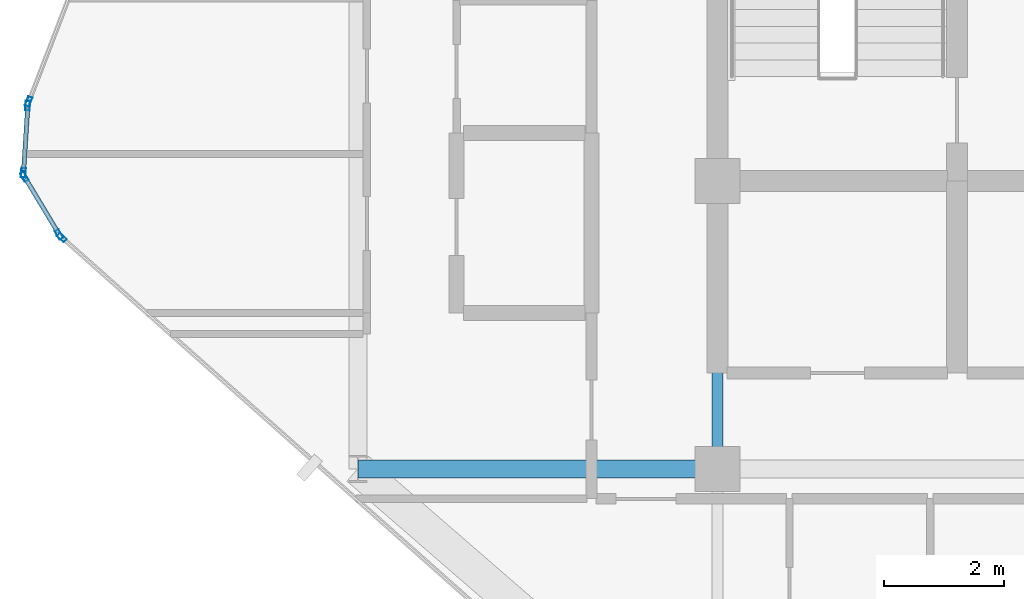
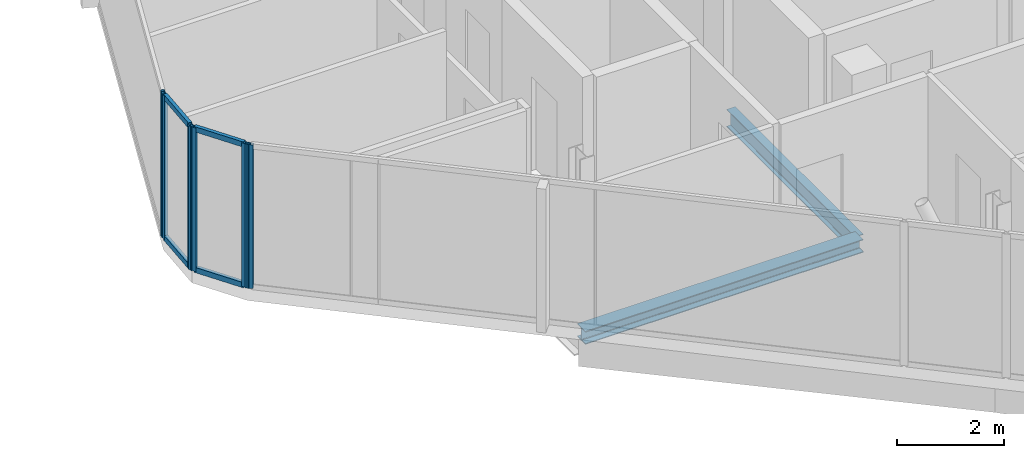
# One storey, part 8 of 28: 10 members, 2 beams, 4 elements without a shape of their own.
"""IFC4 building model written with IfcOpenShell, lengths in metres."""

from ifc_helpers import new_model, si_unit, direction, frame, origin, origin_2d, place, context, subcontext, project, spatial, hollow_rectangle, i_section, extrude, material, layer, layer_set, material_profile, profile_set, type_object, element, aggregate, save


model = new_model("IFC4")

# Units and contexts
model_context = context("Model", 3, precision=1e-05, world=origin(), true_north=direction((0.0, 1.0)))
body_context = subcontext(model_context, "Body", "Model", "MODEL_VIEW")
ifc_project = project(units=[si_unit("LENGTHUNIT", "METRE"), si_unit("AREAUNIT", "SQUARE_METRE"), si_unit("VOLUMEUNIT", "CUBIC_METRE"), si_unit("PLANEANGLEUNIT", "RADIAN"), si_unit("MASSUNIT", "GRAM", prefix="KILO")], contexts=[model_context])

# Site, building, storey
site_placement = place(None, origin())
site = spatial("IfcSite", under=ifc_project, at=site_placement, CompositionType="ELEMENT")
building_placement = place(site_placement, origin())
building = spatial("IfcBuilding", under=site, at=building_placement, Name="Keshet Zoharim Tower", CompositionType="ELEMENT")
storey_placement = place(building_placement, frame((0.0, 0.0, 233.89990234375)))
storey = spatial("IfcBuildingStorey", under=building, at=storey_placement, Name="L58", CompositionType="ELEMENT", Elevation=233.89990234375)

# Beams
ifc_material_1 = material(Name="Steel S355", Category="steel")
ifc_material_profile_1 = material_profile(ifc_material_1, i_section(OverallWidth=0.300048828125, OverallDepth=0.300048828125, WebThickness=0.010986328125, FlangeThickness=0.01904296875, FilletRadius=0.027099609375, at=origin_2d()), Name="HEB300")
ifc_profile_set_1 = profile_set([ifc_material_profile_1], Name="Steel S355")
beam_type_1 = type_object("IfcBeamType", Name="BM-PRI-HB300", PredefinedType="BEAM", material=ifc_profile_set_1)
beam_1_placement = place(storey_placement, frame((9.0, 17.89990234375, -0.4599609375), z_axis=(1.0, 0.0, 0.0), x_axis=(0.0, 1.0, 0.0)))
element("IfcBeam", 1, at=beam_1_placement, inside=storey, type_object=beam_type_1, Name="L58 Primary Girder X-011", PredefinedType="BEAM", context=body_context, shape_type="SweptSolid", body=[
    extrude(i_section(OverallWidth=0.300048828125, OverallDepth=0.300048828125, WebThickness=0.010986328125, FlangeThickness=0.01904296875, FilletRadius=0.027099609375, at=origin_2d()), origin(), (0.0, 0.0, 1.0), 6.0),
])
ifc_material_profile_2 = material_profile(ifc_material_1, i_section(OverallWidth=0.179931640625, OverallDepth=0.39990234375, WebThickness=0.008544921875, FlangeThickness=0.013427734375, FilletRadius=0.02099609375, at=origin_2d()), Name="IPE400")
ifc_profile_set_2 = profile_set([ifc_material_profile_2], Name="Steel S355")
beam_type_2 = type_object("IfcBeamType", Name="BM-PRI-IP400", PredefinedType="BEAM", material=ifc_profile_set_2)
beam_2_placement = place(storey_placement, frame((15.0, 17.89990234375, -0.510009765625), z_axis=(0.0, 1.0, 0.0), x_axis=(-1.0, 0.0, 0.0)))
element("IfcBeam", 2, at=beam_2_placement, inside=storey, type_object=beam_type_2, Name="L58 Primary Girder Y-003", PredefinedType="BEAM", context=body_context, shape_type="SweptSolid", body=[
    extrude(i_section(OverallWidth=0.179931640625, OverallDepth=0.39990234375, WebThickness=0.008544921875, FlangeThickness=0.013427734375, FilletRadius=0.02099609375, at=origin_2d()), origin(), (0.0, 0.0, 1.0), 4.800048828125),
])

# Curtain wall, member
ifc_material_2 = material(Name="Aluminium 6063-T6", Category="aluminium")
ifc_layer = layer(ifc_material_2, 0.139892578125)
ifc_layer_set = layer_set([ifc_layer], Name="Aluminium 6063-T6")
curtain_wall_type = type_object("IfcCurtainWallType", Name="CW-SYS-05", PredefinedType="NOTDEFINED", material=ifc_layer_set)
curtain_wall_1_placement = place(storey_placement, origin())
curtain_wall_1 = element("IfcCurtainWall", 3, at=curtain_wall_1_placement, inside=storey, type_object=curtain_wall_type, Name="L58 Unitised Curtain Wall 10 Part 3", PredefinedType="NOTDEFINED")
ifc_material_profile_3 = material_profile(ifc_material_2, hollow_rectangle(XDim=0.074951171875, YDim=0.159912109375, WallThickness=0.00390625, at=origin_2d()), Name="MUL-75x160")
ifc_profile_set_3 = profile_set([ifc_material_profile_3], Name="Aluminium 6063-T6")
member_type_1 = type_object("IfcMemberType", Name="CWM-M15", PredefinedType="MULLION", material=ifc_profile_set_3)
member_1_placement = place(storey_placement, frame((4.061279296875, 21.7568359375, 0.0), z_axis=(0.0, 0.0, 1.0), x_axis=(-0.664366320896, -0.747407112395, 0.0)))
member_1 = element("IfcMember", 4, at=member_1_placement, type_object=member_type_1, Name="CW-05 mullion 2", PredefinedType="MULLION", context=body_context, shape_type="SweptSolid", body=[
    extrude(hollow_rectangle(XDim=0.074951171875, YDim=0.159912109375, WallThickness=0.00390625, at=origin_2d()), origin(), (0.0, 0.0, 1.0), 3.280029296875),
])
aggregate(curtain_wall_1, [member_1])

# Curtain wall, members
curtain_wall_2_placement = place(storey_placement, origin())
curtain_wall_2 = element("IfcCurtainWall", 5, at=curtain_wall_2_placement, inside=storey, type_object=curtain_wall_type, Name="L58 Unitised Curtain Wall 11", PredefinedType="NOTDEFINED")
member_2_placement = place(storey_placement, frame((4.016845703125, 21.81005859375, 0.0), z_axis=(0.0, 0.0, 1.0), x_axis=(-0.856826433805, -0.515604947933, 0.0)))
member_2 = element("IfcMember", 6, at=member_2_placement, type_object=member_type_1, Name="CW-05 mullion 1", PredefinedType="MULLION", context=body_context, shape_type="SweptSolid", body=[
    extrude(hollow_rectangle(XDim=0.074951171875, YDim=0.159912109375, WallThickness=0.00390625, at=origin_2d()), origin(), (0.0, 0.0, 1.0), 3.280029296875),
])
member_3_placement = place(storey_placement, frame((3.43798828125, 22.77197265625, 0.0), z_axis=(0.0, 0.0, 1.0), x_axis=(-0.856826433805, -0.515604947933, 0.0)))
member_3 = element("IfcMember", 7, at=member_3_placement, type_object=member_type_1, Name="CW-05 mullion 2", PredefinedType="MULLION", context=body_context, shape_type="SweptSolid", body=[
    extrude(hollow_rectangle(XDim=0.074951171875, YDim=0.159912109375, WallThickness=0.00390625, at=origin_2d()), origin(), (0.0, 0.0, 1.0), 3.280029296875),
])

curtain_wall_3_placement = place(storey_placement, origin())
curtain_wall_3 = element("IfcCurtainWall", 8, at=curtain_wall_3_placement, inside=storey, type_object=curtain_wall_type, Name="L58 Unitised Curtain Wall 12", PredefinedType="NOTDEFINED")
member_4_placement = place(storey_placement, frame((3.42236328125, 22.8369140625, 0.0), z_axis=(0.0, 0.0, 1.0), x_axis=(-0.997916617186, 0.064516859374, 0.0)))
member_4 = element("IfcMember", 9, at=member_4_placement, type_object=member_type_1, Name="CW-05 mullion 1", PredefinedType="MULLION", context=body_context, shape_type="SweptSolid", body=[
    extrude(hollow_rectangle(XDim=0.074951171875, YDim=0.159912109375, WallThickness=0.00390625, at=origin_2d()), origin(), (0.0, 0.0, 1.0), 3.280029296875),
])
member_5_placement = place(storey_placement, frame((3.49462890625, 23.9580078125, 0.0), z_axis=(0.0, 0.0, 1.0), x_axis=(-0.997916617186, 0.064516859374, 0.0)))
member_5 = element("IfcMember", 10, at=member_5_placement, type_object=member_type_1, Name="CW-05 mullion 2", PredefinedType="MULLION", context=body_context, shape_type="SweptSolid", body=[
    extrude(hollow_rectangle(XDim=0.074951171875, YDim=0.159912109375, WallThickness=0.00390625, at=origin_2d()), origin(), (0.0, 0.0, 1.0), 3.280029296875),
])

# Curtain wall, member
curtain_wall_4_placement = place(storey_placement, origin())
curtain_wall_4 = element("IfcCurtainWall", 11, at=curtain_wall_4_placement, inside=storey, type_object=curtain_wall_type, Name="L58 Unitised Curtain Wall 13", PredefinedType="NOTDEFINED")
member_6_placement = place(storey_placement, frame((3.509521484375, 24.025634765625, 0.0), z_axis=(0.0, 0.0, 1.0), x_axis=(-0.933341404361, 0.358990003907, 0.0)))
member_6 = element("IfcMember", 12, at=member_6_placement, type_object=member_type_1, Name="CW-05 mullion 1", PredefinedType="MULLION", context=body_context, shape_type="SweptSolid", body=[
    extrude(hollow_rectangle(XDim=0.074951171875, YDim=0.159912109375, WallThickness=0.00390625, at=origin_2d()), origin(), (0.0, 0.0, 1.0), 3.280029296875),
])
aggregate(curtain_wall_4, [member_6])

# Member
ifc_material_profile_4 = material_profile(ifc_material_2, hollow_rectangle(XDim=0.074951171875, YDim=0.1201171875, WallThickness=0.00390625, at=origin_2d()), Name="TRN-75x120")
ifc_profile_set_4 = profile_set([ifc_material_profile_4], Name="Aluminium 6063-T6")
member_type_2 = type_object("IfcMemberType", Name="CWT-T12", PredefinedType="USERDEFINED", material=ifc_profile_set_4)
member_7_placement = place(storey_placement, frame((3.9990234375, 21.840087890625, 0.03515625), z_axis=(-0.515791194107, 0.856714330499, 0.0), x_axis=(-0.856714330499, -0.515791194107, 0.0)))
member_7 = element("IfcMember", 13, at=member_7_placement, type_object=member_type_2, Name="CW-05 transom 1.1", ObjectType="TRANSOM", PredefinedType="USERDEFINED", context=body_context, shape_type="SweptSolid", body=[
    extrude(hollow_rectangle(XDim=0.074951171875, YDim=0.1201171875, WallThickness=0.00390625, at=origin_2d()), origin(), (0.0, 0.0, 1.0), 1.052734375),
])

member_8_placement = place(storey_placement, frame((3.9990234375, 21.840087890625, 3.2451171875), z_axis=(-0.515791194107, 0.856714330499, 0.0), x_axis=(-0.856714330499, -0.515791194107, 0.0)))
member_8 = element("IfcMember", 14, at=member_8_placement, type_object=member_type_2, Name="CW-05 transom 1.2", ObjectType="TRANSOM", PredefinedType="USERDEFINED", context=body_context, shape_type="SweptSolid", body=[
    extrude(hollow_rectangle(XDim=0.074951171875, YDim=0.1201171875, WallThickness=0.00390625, at=origin_2d()), origin(), (0.0, 0.0, 1.0), 1.052734375),
])

aggregate(curtain_wall_2, [member_2, member_3, member_7, member_8])

member_9_placement = place(storey_placement, frame((3.424560546875, 22.871826171875, 0.03515625), z_axis=(0.064426947155, 0.997922426083, 0.0), x_axis=(-0.997922426083, 0.064426947155, 0.0)))
member_9 = element("IfcMember", 15, at=member_9_placement, type_object=member_type_2, Name="CW-05 transom 1.1", ObjectType="TRANSOM", PredefinedType="USERDEFINED", context=body_context, shape_type="SweptSolid", body=[
    extrude(hollow_rectangle(XDim=0.074951171875, YDim=0.1201171875, WallThickness=0.00390625, at=origin_2d()), origin(), (0.0, 0.0, 1.0), 1.053466796875),
])

member_10_placement = place(storey_placement, frame((3.424560546875, 22.871826171875, 3.2451171875), z_axis=(0.064426947155, 0.997922426083, 0.0), x_axis=(-0.997922426083, 0.064426947155, 0.0)))
member_10 = element("IfcMember", 16, at=member_10_placement, type_object=member_type_2, Name="CW-05 transom 1.2", ObjectType="TRANSOM", PredefinedType="USERDEFINED", context=body_context, shape_type="SweptSolid", body=[
    extrude(hollow_rectangle(XDim=0.074951171875, YDim=0.1201171875, WallThickness=0.00390625, at=origin_2d()), origin(), (0.0, 0.0, 1.0), 1.053466796875),
])

aggregate(curtain_wall_3, [member_4, member_5, member_9, member_10])

save(model, "model.ifc")
